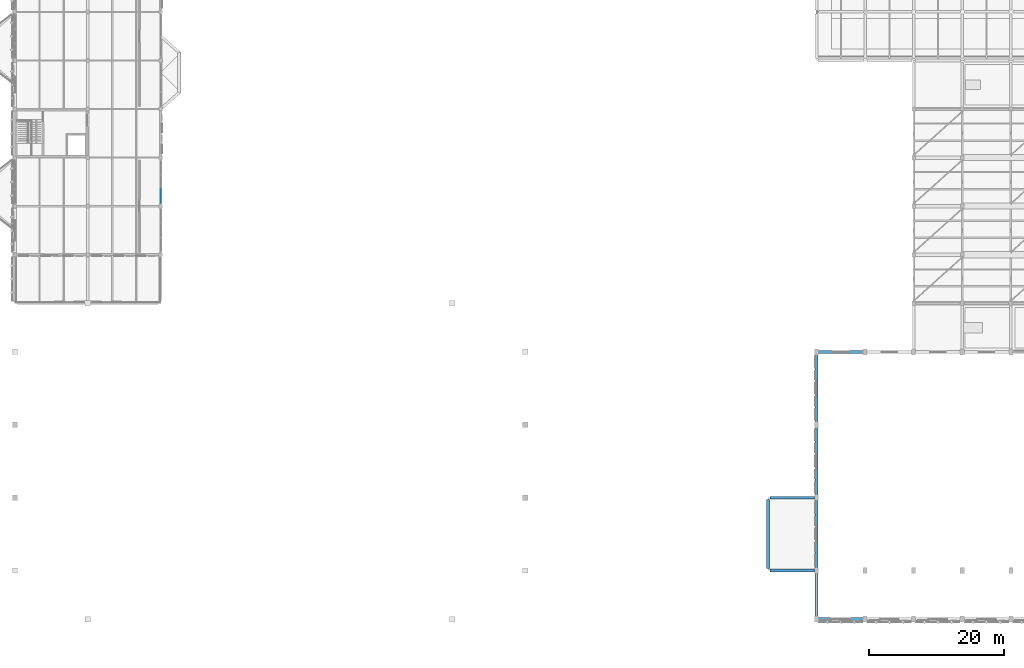
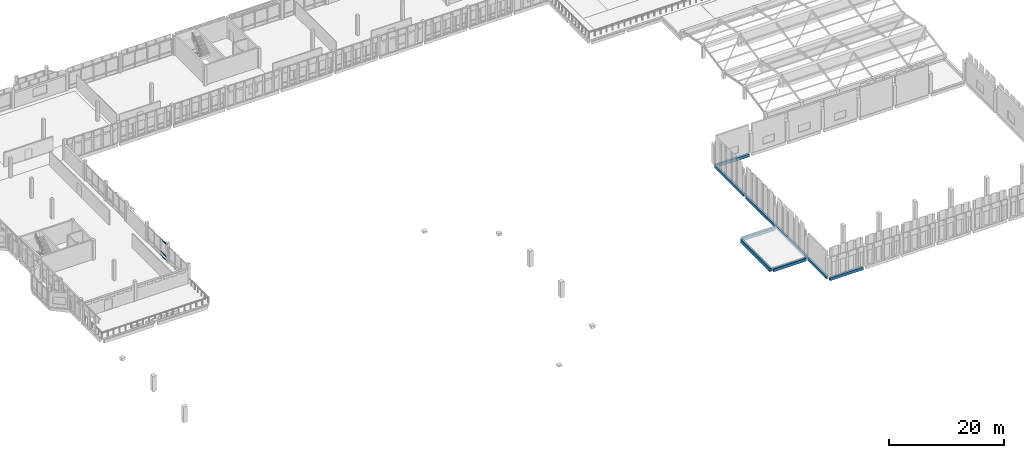
# One storey, part 7 of 72: 9 beams, 3 members, 1 element without a shape of its own.
"""IFC4 building model written with IfcOpenShell, lengths in metres."""

from ifc_helpers import new_model, si_unit, direction, frame, origin, origin_2d, place, context, subcontext, project, spatial, rectangle, hollow_rectangle, extrude, material, material_profile, profile_set, type_object, element, aggregate, save


model = new_model("IFC4")

# Units and contexts
model_context = context("Model", 3, precision=1e-05, world=origin(), true_north=direction((0.0, 1.0)))
body_context = subcontext(model_context, "Body", "Model", "MODEL_VIEW")
ifc_project = project(units=[si_unit("LENGTHUNIT", "METRE"), si_unit("AREAUNIT", "SQUARE_METRE"), si_unit("VOLUMEUNIT", "CUBIC_METRE"), si_unit("PLANEANGLEUNIT", "RADIAN"), si_unit("MASSUNIT", "GRAM", prefix="KILO")], contexts=[model_context])

# Site, building, storey
site_placement = place(None, origin())
site = spatial("IfcSite", under=ifc_project, at=site_placement, CompositionType="ELEMENT")
building_placement = place(site_placement, origin())
building = spatial("IfcBuilding", under=site, at=building_placement, Name="Lusvemor Sports Hall", CompositionType="ELEMENT")
storey_placement = place(building_placement, frame((0.0, 0.0, 15.0)))
storey = spatial("IfcBuildingStorey", under=building, at=storey_placement, Name="L03", CompositionType="ELEMENT", Elevation=15.0)

# Curtain wall, members
ifc_material_1 = material(Name="Thermally broken bronze-anodized aluminium", Category="aluminium")
curtain_wall_type = type_object("IfcCurtainWallType", Name="CW_WING_B", PredefinedType="NOTDEFINED", material=ifc_material_1)
curtain_wall_placement = place(storey_placement, origin())
curtain_wall = element("IfcCurtainWall", 1, at=curtain_wall_placement, inside=storey, type_object=curtain_wall_type, Name="Curtain Wall CW-L03-E-4-1", PredefinedType="NOTDEFINED")
ifc_material_2 = material(Name="Thermally broken bronze-anodized aluminium", Category="aluminium")
ifc_material_profile_1 = material_profile(ifc_material_2, hollow_rectangle(XDim=0.06005859375, YDim=0.135009765625, WallThickness=0.00390625, InnerFilletRadius=0.00390625, OuterFilletRadius=0.008056640625, at=origin_2d()), Name="CWTRN135x60x4")
ifc_profile_set_1 = profile_set([ifc_material_profile_1], Name="Thermally broken bronze-anodized aluminium")
member_type = type_object("IfcMemberType", Name="CW_TRN_B", PredefinedType="USERDEFINED", material=ifc_profile_set_1)
member_1_placement = place(storey_placement, frame((21.60009765625, 63.70751953125, 0.030029296875), z_axis=(0.0, -1.0, 0.0), x_axis=(1.0, 0.0, 0.0)))
member_1 = element("IfcMember", 2, at=member_1_placement, type_object=member_type, Name="CW02 transom 3.1", ObjectType="TRANSOM", PredefinedType="USERDEFINED", context=body_context, shape_type="SweptSolid", body=[
    extrude(hollow_rectangle(XDim=0.06005859375, YDim=0.135009765625, WallThickness=0.00390625, InnerFilletRadius=0.00390625, OuterFilletRadius=0.008056640625, at=origin_2d()), origin(), (0.0, 0.0, 1.0), 2.0224609375),
])
member_2_placement = place(storey_placement, frame((21.60009765625, 63.70751953125, 0.85009765625), z_axis=(0.0, -1.0, 0.0), x_axis=(1.0, 0.0, 0.0)))
member_2 = element("IfcMember", 3, at=member_2_placement, type_object=member_type, Name="CW02 transom 3.2", ObjectType="TRANSOM", PredefinedType="USERDEFINED", context=body_context, shape_type="SweptSolid", body=[
    extrude(hollow_rectangle(XDim=0.06005859375, YDim=0.135009765625, WallThickness=0.00390625, InnerFilletRadius=0.00390625, OuterFilletRadius=0.008056640625, at=origin_2d()), origin(), (0.0, 0.0, 1.0), 2.0224609375),
])
member_3_placement = place(storey_placement, frame((21.60009765625, 63.70751953125, 3.489990234375), z_axis=(0.0, -1.0, 0.0), x_axis=(1.0, 0.0, 0.0)))
member_3 = element("IfcMember", 4, at=member_3_placement, type_object=member_type, Name="CW02 transom 3.3", ObjectType="TRANSOM", PredefinedType="USERDEFINED", context=body_context, shape_type="SweptSolid", body=[
    extrude(hollow_rectangle(XDim=0.06005859375, YDim=0.135009765625, WallThickness=0.00390625, InnerFilletRadius=0.00390625, OuterFilletRadius=0.008056640625, at=origin_2d()), origin(), (0.0, 0.0, 1.0), 2.0224609375),
])
aggregate(curtain_wall, [member_1, member_2, member_3])

# Beams
ifc_material_3 = material(Name="Concrete C40/50", Category="concrete")
ifc_material_profile_2 = material_profile(ifc_material_3, rectangle(XDim=0.39990234375, YDim=0.610107421875, at=origin_2d()), Name="RC400x610")
ifc_profile_set_2 = profile_set([ifc_material_profile_2], Name="Concrete C40/50")
beam_type_1 = type_object("IfcBeamType", Name="SPAND_EXT_650", PredefinedType="SPANDREL", material=ifc_profile_set_2)
for number, where, z_axis, x_axis, name in (
    (5, (111.89599609375, 7.199951171875, -0.534912109375), (1.0, 0.0, 0.0), (0.0, 1.0, 0.0), "Beam L03 B:12-13"),
    (6, (111.89599609375, 18.0, -0.534912109375), (1.0, 0.0, 0.0), (0.0, 1.0, 0.0), "Beam L03 C:12-13"),
):
    element("IfcBeam", number, at=place(storey_placement, frame(where, z_axis=z_axis, x_axis=x_axis)), inside=storey, type_object=beam_type_1, Name=name, PredefinedType="SPANDREL", context=body_context, shape_type="SweptSolid", body=[
        extrude(rectangle(XDim=0.39990234375, YDim=0.610107421875, at=origin_2d()), origin(), (0.0, 0.0, 1.0), 6.60791015625),
    ])
beam_1_placement = place(storey_placement, frame((118.800048828125, 0.35009765625, -0.304931640625), z_axis=(0.0, 1.0, 0.0), x_axis=(-1.0, 0.0, 0.0)))
element("IfcBeam", 7, at=beam_1_placement, inside=storey, type_object=beam_type_1, Name="East Court West Facade Girt L03-0", PredefinedType="SPANDREL", context=body_context, shape_type="SweptSolid", body=[
    extrude(rectangle(XDim=0.39990234375, YDim=0.610107421875, at=origin_2d()), origin(), (0.0, 0.0, 1.0), 6.5),
])
for number, where, z_axis, x_axis, name in (
    (8, (118.800048828125, 7.550048828125, -0.304931640625), (0.0, 1.0, 0.0), (-1.0, 0.0, 0.0), "East Court West Facade Girt L03-1"),
    (9, (118.800048828125, 18.35009765625, -0.304931640625), (0.0, 1.0, 0.0), (-1.0, 0.0, 0.0), "East Court West Facade Girt L03-2"),
):
    element("IfcBeam", number, at=place(storey_placement, frame(where, z_axis=z_axis, x_axis=x_axis)), inside=storey, type_object=beam_type_1, Name=name, PredefinedType="SPANDREL", context=body_context, shape_type="SweptSolid", body=[
        extrude(rectangle(XDim=0.39990234375, YDim=0.610107421875, at=origin_2d()), origin(), (0.0, 0.0, 1.0), 10.099853515625),
    ])
beam_2_placement = place(storey_placement, frame((118.800048828125, 29.14990234375, -0.304931640625), z_axis=(0.0, 1.0, 0.0), x_axis=(-1.0, 0.0, 0.0)))
element("IfcBeam", 10, at=beam_2_placement, inside=storey, type_object=beam_type_1, Name="East Court West Facade Girt L03-3", PredefinedType="SPANDREL", context=body_context, shape_type="SweptSolid", body=[
    extrude(rectangle(XDim=0.39990234375, YDim=0.610107421875, at=origin_2d()), origin(), (0.0, 0.0, 1.0), 10.10009765625),
])
for number, where, z_axis, x_axis, name in (
    (11, (119.050048828125, 0.0, -0.570068359375), (1.0, 0.0, 0.0), (0.0, 1.0, 0.0), "East Court South Clerestory Girt L03-0"),
    (12, (119.050048828125, 39.60009765625, -0.570068359375), (1.0, 0.0, 0.0), (0.0, 1.0, 0.0), "East Court North Clerestory Girt L03-0"),
):
    element("IfcBeam", number, at=place(storey_placement, frame(where, z_axis=z_axis, x_axis=x_axis)), inside=storey, type_object=beam_type_1, Name=name, PredefinedType="SPANDREL", context=body_context, shape_type="SweptSolid", body=[
        extrude(rectangle(XDim=0.39990234375, YDim=0.610107421875, at=origin_2d()), origin(), (0.0, 0.0, 1.0), 6.699951171875),
    ])
ifc_material_4 = material(Name="Concrete C40/50", Category="concrete")
ifc_material_profile_3 = material_profile(ifc_material_4, rectangle(XDim=0.39990234375, YDim=0.699951171875, at=origin_2d()), Name="RC400x700")
ifc_profile_set_3 = profile_set([ifc_material_profile_3], Name="Concrete C40/50")
beam_type_2 = type_object("IfcBeamType", Name="SPAND_EXT_700", PredefinedType="SPANDREL", material=ifc_profile_set_3)
beam_3_placement = place(storey_placement, frame((111.60009765625, 7.49609375, -0.580078125), z_axis=(0.0, 1.0, 0.0), x_axis=(-1.0, 0.0, 0.0)))
element("IfcBeam", 13, at=beam_3_placement, inside=storey, type_object=beam_type_2, Name="Beam L03 12:B-C", PredefinedType="SPANDREL", context=body_context, shape_type="SweptSolid", body=[
    extrude(rectangle(XDim=0.39990234375, YDim=0.699951171875, at=origin_2d()), origin(), (0.0, 0.0, 1.0), 10.2080078125),
])

save(model, "model.ifc")
